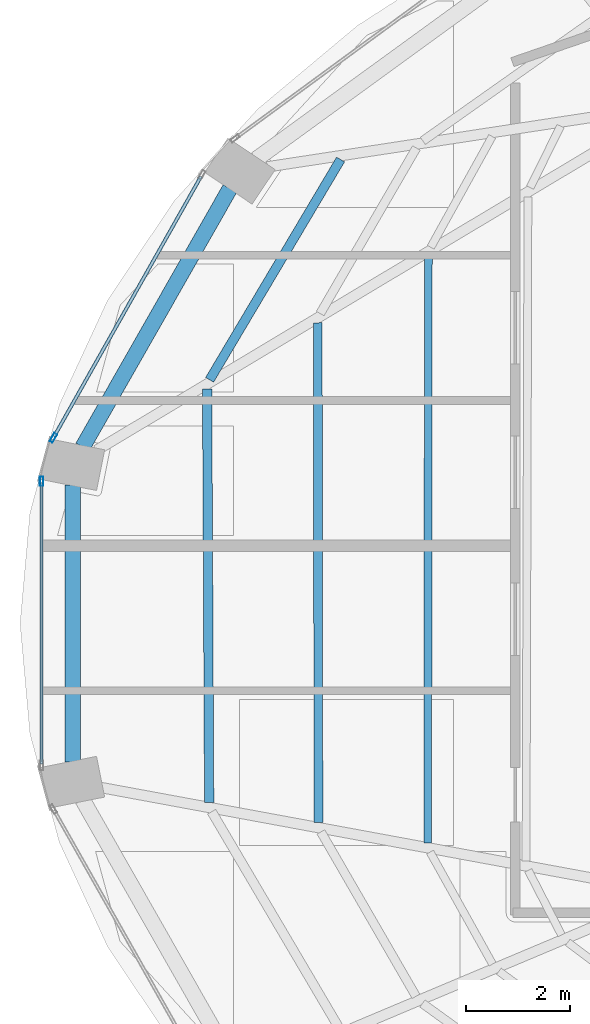
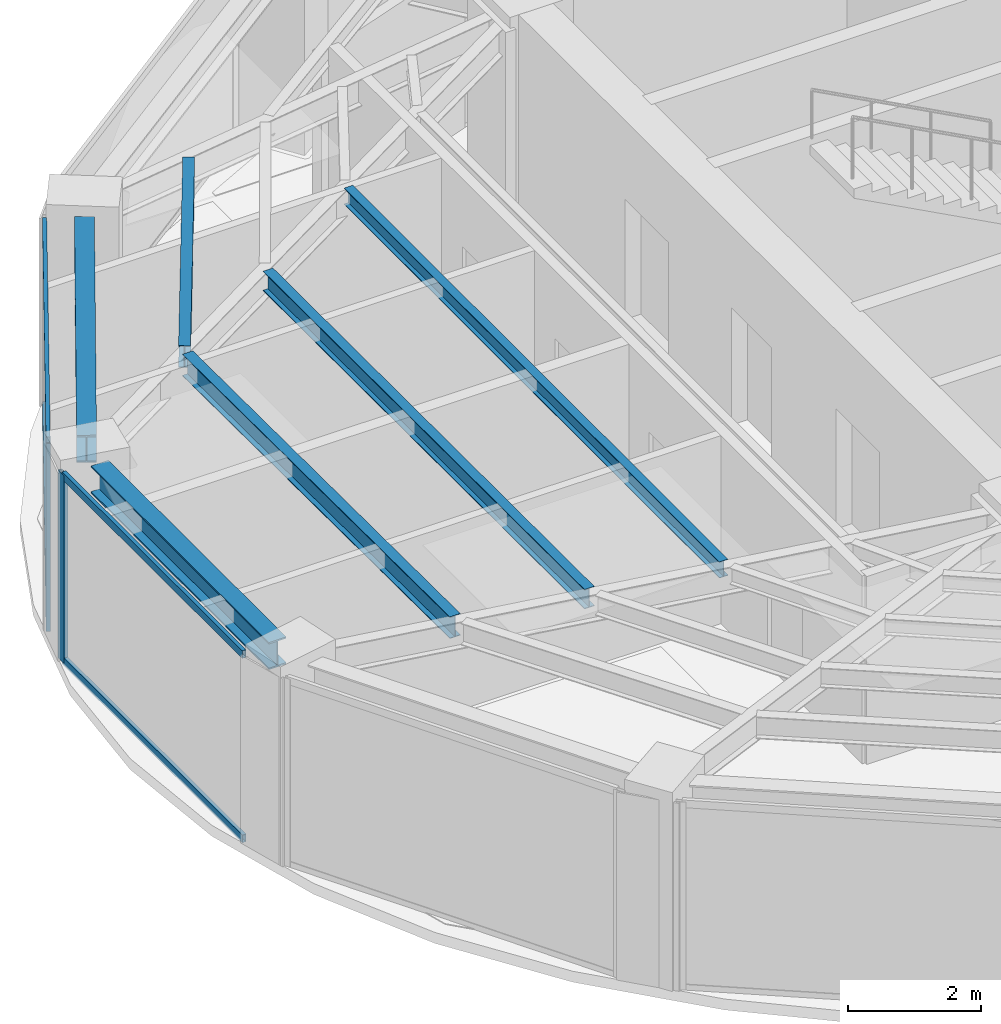
# One storey, part 8 of 23: 6 beams, 6 members, 2 elements without a shape of their own.
"""IFC4 building model written with IfcOpenShell, lengths in metres."""

import ifcopenshell
import ifcopenshell.guid

model = None  # the IFC model being written
_history = None  # IfcOwnerHistory: only IFC2X3 demands one
_inside = {}  # id of a spatial element -> (the spatial element, [elements in it])
_under = {}  # id of a project, library or spatial element -> (it, [spatial elements below it])
_declared = {}  # id of a project -> (the project, [libraries it declares])
_typed = {}  # id of a type object -> (the type object, [elements of that type])
_made_of = {}  # id of a material, layer set ... -> (it, [elements and type objects made of it])


def new_model(schema):
    """Start an empty IFC model of exactly this schema.

    Asked for "IFC4X3", IfcOpenShell would pick the latest addendum, in which some entities
    have other attributes; the version numbers below select the first issue.
    IFC2X3 requires an IfcOwnerHistory on every rooted entity: one is made here for all.
    """
    global model, _history
    if schema == "IFC4X3":
        model = ifcopenshell.file(schema_version=(4, 3, 0, 0))
    else:
        model = ifcopenshell.file(schema=schema)
    _inside.clear()
    _under.clear()
    _declared.clear()
    _typed.clear()
    _made_of.clear()
    _history = None
    if model.schema == "IFC2X3":
        org = make("IfcOrganization", Name="unknown")
        user = make(
            "IfcPersonAndOrganization",
            ThePerson=make("IfcPerson", FamilyName="unknown"),
            TheOrganization=org,
        )
        app = make(
            "IfcApplication",
            ApplicationDeveloper=org,
            Version="unknown",
            ApplicationFullName="unknown",
            ApplicationIdentifier="unknown",
        )
        _history = make(
            "IfcOwnerHistory",
            OwningUser=user,
            OwningApplication=app,
            ChangeAction="ADDED",
            CreationDate=0,
        )
    return model


def make(cls, **values):
    """One entity of the class cls with the attributes given. An attribute that is None is left unset."""
    return model.create_entity(
        cls, **{name: value for name, value in values.items() if value is not None}
    )


def rooted(cls, **values):
    """An entity with a GlobalId (a new one), such as an element, a storey or a relation."""
    return make(cls, GlobalId=ifcopenshell.guid.new(), OwnerHistory=_history, **values)


def si_unit(unit_type, name, prefix=None):
    """IfcSIUnit, for example si_unit("LENGTHUNIT", "METRE", prefix="MILLI")."""
    return make("IfcSIUnit", UnitType=unit_type, Prefix=prefix, Name=name)


def assignment(units):
    """IfcUnitAssignment: the units of a project."""
    return None if units is None else make("IfcUnitAssignment", Units=units)


def point(xyz):
    """IfcCartesianPoint."""
    return None if xyz is None else make("IfcCartesianPoint", Coordinates=xyz)


def direction(xyz):
    """IfcDirection."""
    return None if xyz is None else make("IfcDirection", DirectionRatios=xyz)


def frame(location, z_axis=None, x_axis=None):
    """IfcAxis2Placement3D, a coordinate frame: its origin and axes. An axis left out is left unset."""
    return make(
        "IfcAxis2Placement3D",
        Location=point(location),
        Axis=direction(z_axis),
        RefDirection=direction(x_axis),
    )


def frame_2d(location, x_axis=None):
    """IfcAxis2Placement2D, a coordinate frame in the plane: its origin and x axis."""
    return make(
        "IfcAxis2Placement2D", Location=point(location), RefDirection=direction(x_axis)
    )


def origin():
    """The frame at (0, 0, 0) with its axes left unset."""
    return frame((0.0, 0.0, 0.0))


def origin_2d():
    """The frame at (0, 0) in the plane with its x axis left unset."""
    return frame_2d((0.0, 0.0))


def place(relative_to, where):
    """IfcLocalPlacement: puts the frame where relative to a parent placement (None: the world)."""
    return make(
        "IfcLocalPlacement", PlacementRelTo=relative_to, RelativePlacement=where
    )


def context(
    kind, dimensions, precision=None, world=None, true_north=None, identifier=None
):
    """IfcGeometricRepresentationContext, for example the 3D "Model" context."""
    return make(
        "IfcGeometricRepresentationContext",
        ContextIdentifier=identifier,
        ContextType=kind,
        CoordinateSpaceDimension=dimensions,
        Precision=precision,
        WorldCoordinateSystem=world,
        TrueNorth=true_north,
    )


def subcontext(parent, identifier, kind, view, scale=None):
    """IfcGeometricRepresentationSubContext, for example "Body" below "Model"."""
    return make(
        "IfcGeometricRepresentationSubContext",
        ContextIdentifier=identifier,
        ContextType=kind,
        ParentContext=parent,
        TargetScale=scale,
        TargetView=view,
    )


def project(units=None, contexts=None):
    """IfcProject with its units and contexts."""
    return rooted(
        "IfcProject",
        Name="project",
        RepresentationContexts=contexts,
        UnitsInContext=assignment(units),
    )


def spatial(cls, under=None, at=None, **own):
    """A site, building, storey or space (cls), placed at a placement, below another one or the project."""
    s = rooted(cls, ObjectPlacement=at, **own)
    if under is not None:
        _under.setdefault(under.id(), (under, []))[1].append(s)
    return s


def profile(cls, at=None, kind="AREA", **sizes):
    """A parametric profile (cls). Its sizes go by their IFC names, for example OverallWidth=200.0."""
    return make(cls, ProfileType=kind, Position=at, **sizes)


def hollow_rectangle(**sizes):
    """IfcRectangleHollowProfileDef."""
    return profile("IfcRectangleHollowProfileDef", **sizes)


def i_section(**sizes):
    """IfcIShapeProfileDef."""
    return profile("IfcIShapeProfileDef", **sizes)


def extrude(swept, where, along, depth):
    """IfcExtrudedAreaSolid: the profile swept, set in the frame where, extruded along a direction by depth."""
    return make(
        "IfcExtrudedAreaSolid",
        SweptArea=swept,
        Position=where,
        ExtrudedDirection=direction(along),
        Depth=depth,
    )


def shape(context_of_items, identifier, shape_type, items):
    """IfcShapeRepresentation: the items that make up one representation, for example the "Body"."""
    return make(
        "IfcShapeRepresentation",
        ContextOfItems=context_of_items,
        RepresentationIdentifier=identifier,
        RepresentationType=shape_type,
        Items=items,
    )


def material(Name=None, Category=None):
    """IfcMaterial."""
    return make("IfcMaterial", Name=Name, Category=Category)


def layer(
    of_material, thickness, ventilated=None, Name=None, Category=None, Priority=None
):
    """IfcMaterialLayer: one layer of a wall or slab, of a material (None: an air gap)."""
    return make(
        "IfcMaterialLayer",
        Material=of_material,
        LayerThickness=thickness,
        IsVentilated=ventilated,
        Name=Name,
        Category=Category,
        Priority=Priority,
    )


def layer_set(layers, Name=None):
    """IfcMaterialLayerSet."""
    return make("IfcMaterialLayerSet", MaterialLayers=layers, LayerSetName=Name)


def material_profile(
    of_material, cross_section, Name=None, Category=None, Priority=None
):
    """IfcMaterialProfile: a cross section and its material."""
    return make(
        "IfcMaterialProfile",
        Name=Name,
        Material=of_material,
        Profile=cross_section,
        Priority=Priority,
        Category=Category,
    )


def profile_set(profiles, Name=None, composite=None):
    """IfcMaterialProfileSet."""
    return make(
        "IfcMaterialProfileSet",
        Name=Name,
        MaterialProfiles=profiles,
        CompositeProfile=composite,
    )


def made_of(thing, what):
    """Note that an element or type object is made of a material, layer set ...; save() writes the relation."""
    if what is not None:
        _made_of.setdefault(what.id(), (what, []))[1].append(thing)
    return thing


def type_object(cls, material=None, **own):
    """A type object (cls), such as IfcWallType, which elements share."""
    return made_of(rooted(cls, **own), material)


def element(
    cls,
    number,
    at=None,
    inside=None,
    cuts=None,
    type_object=None,
    material=None,
    context=None,
    identifier="Body",
    shape_type=None,
    held_by="IfcProductDefinitionShape",
    body=None,
    shapes=None,
    **own,
):
    """One element of the class cls, such as IfcWall. Its Tag is "e" and its number.

    at: its placement. inside: the storey or other place that contains it. cuts: it is an
    opening in that element (IfcRelVoidsElement). A single representation is given by context,
    identifier, shape_type and body (its items); several are given by shapes. held_by: the class
    of the entity that holds the representations. save() writes the other relations.
    """
    e = rooted(cls, Tag="e%d" % number, ObjectPlacement=at, **own)
    if body is not None:
        shapes = [shape(context, identifier, shape_type, body)]
    if shapes is not None:
        e.Representation = make(held_by, Representations=shapes)
    if inside is not None:
        _inside.setdefault(inside.id(), (inside, []))[1].append(e)
    if cuts is not None:
        rooted(
            "IfcRelVoidsElement", RelatingBuildingElement=cuts, RelatedOpeningElement=e
        )
    if type_object is not None:
        _typed.setdefault(type_object.id(), (type_object, []))[1].append(e)
    return made_of(e, material)


def aggregate(whole, parts):
    """IfcRelAggregates: a whole, such as a stair, and the parts it consists of."""
    return rooted("IfcRelAggregates", RelatingObject=whole, RelatedObjects=parts)


def save(model, path):
    """Write the relations noted so far, then the file.

    IfcRelAggregates (storeys below a building ...), IfcRelContainedInSpatialStructure (elements
    in a storey), IfcRelDefinesByType, IfcRelAssociatesMaterial and IfcRelDeclares: one each for
    every whole, place, type object, material and project.
    """
    for whole, parts in _under.values():
        aggregate(whole, parts)
    for where, things in _inside.values():
        rooted(
            "IfcRelContainedInSpatialStructure",
            RelatedElements=things,
            RelatingStructure=where,
        )
    for kind, things in _typed.values():
        rooted("IfcRelDefinesByType", RelatedObjects=things, RelatingType=kind)
    for what, things in _made_of.values():
        rooted("IfcRelAssociatesMaterial", RelatedObjects=things, RelatingMaterial=what)
    for by, libraries in _declared.values():
        rooted("IfcRelDeclares", RelatingContext=by, RelatedDefinitions=libraries)
    model.write(path)


model = new_model("IFC4")

# Units and contexts
model_context = context("Model", 3, precision=1e-05, world=origin(), true_north=direction((0.0, 1.0)))
body_context = subcontext(model_context, "Body", "Model", "MODEL_VIEW")
ifc_project = project(units=[si_unit("LENGTHUNIT", "METRE"), si_unit("AREAUNIT", "SQUARE_METRE"), si_unit("VOLUMEUNIT", "CUBIC_METRE"), si_unit("PLANEANGLEUNIT", "RADIAN"), si_unit("MASSUNIT", "GRAM", prefix="KILO")], contexts=[model_context])

# Site, building, storey
site_placement = place(None, origin())
site = spatial("IfcSite", under=ifc_project, at=site_placement, CompositionType="ELEMENT")
building_placement = place(site_placement, origin())
building = spatial("IfcBuilding", under=site, at=building_placement, Name="Lazwardi Medical Tower", CompositionType="ELEMENT")
storey_placement = place(building_placement, frame((0.0, 0.0, 202.1279296875)))
storey = spatial("IfcBuildingStorey", under=building, at=storey_placement, Name="L52", CompositionType="ELEMENT", Elevation=202.1279296875)

# Beams
ifc_material_1 = material(Name="Steel S355", Category="steel")
ifc_material_profile_1 = material_profile(ifc_material_1, i_section(OverallWidth=0.300048828125, OverallDepth=0.5, WebThickness=0.014404296875, FlangeThickness=0.028076171875, at=origin_2d()), Name="HEB 500")
ifc_profile_set_1 = profile_set([ifc_material_profile_1], Name="Steel S355")
beam_type_1 = type_object("IfcBeamType", Name="BM-RB-Z4", PredefinedType="BEAM", material=ifc_profile_set_1)
beam_1_placement = place(storey_placement, frame((17.84716796875, 33.983642578125, 3.197998046875), z_axis=(-0.495125273299, -0.868821594886, 0.0), x_axis=(0.868821594886, -0.495125273299, 0.0)))
element("IfcBeam", 1, at=beam_1_placement, inside=storey, type_object=beam_type_1, Name="Ring beam RB-05 B11 L52", PredefinedType="BEAM", context=body_context, shape_type="SweptSolid", body=[
    extrude(i_section(OverallWidth=0.300048828125, OverallDepth=0.5, WebThickness=0.014404296875, FlangeThickness=0.028076171875, at=origin_2d()), origin(), (0.0, 0.0, 1.0), 5.734130859375),
])
beam_2_placement = place(storey_placement, frame((14.81494140625, 28.27294921875, 3.197998046875), z_axis=(0.0, -1.0, 0.0), x_axis=(1.0, 0.0, 0.0)))
element("IfcBeam", 2, at=beam_2_placement, inside=storey, type_object=beam_type_1, Name="Ring beam RB-05 B12 L52", PredefinedType="BEAM", context=body_context, shape_type="SweptSolid", body=[
    extrude(i_section(OverallWidth=0.300048828125, OverallDepth=0.5, WebThickness=0.014404296875, FlangeThickness=0.028076171875, at=origin_2d()), origin(), (0.0, 0.0, 1.0), 5.345947265625),
])
ifc_material_profile_2 = material_profile(ifc_material_1, i_section(OverallWidth=0.179931640625, OverallDepth=0.39990234375, WebThickness=0.008544921875, FlangeThickness=0.013427734375, at=origin_2d()), Name="IPE 400")
ifc_profile_set_2 = profile_set([ifc_material_profile_2], Name="Steel S355")
beam_type_2 = type_object("IfcBeamType", Name="BM-SJ-01", PredefinedType="JOIST", material=ifc_profile_set_2)
beam_3_placement = place(storey_placement, frame((19.98095703125, 34.544921875, 3.248046875), z_axis=(-0.510967866251, -0.859599813668, 0.0), x_axis=(0.859599813668, -0.510967866251, 0.0)))
element("IfcBeam", 3, at=beam_3_placement, inside=storey, type_object=beam_type_2, Name="Secondary joist SJ-01 R1 B11 L52", PredefinedType="JOIST", context=body_context, shape_type="SweptSolid", body=[
    extrude(i_section(OverallWidth=0.179931640625, OverallDepth=0.39990234375, WebThickness=0.008544921875, FlangeThickness=0.013427734375, at=origin_2d()), origin(), (0.0, 0.0, 1.0), 4.94189453125),
])
beam_4_placement = place(storey_placement, frame((17.407958984375, 30.120361328125, 3.248046875), z_axis=(0.004929366644, -0.999987850598, 0.0), x_axis=(0.999987850598, 0.004929366644, 0.0)))
element("IfcBeam", 4, at=beam_4_placement, inside=storey, type_object=beam_type_2, Name="Secondary joist SJ-01 R1 B12 L52", PredefinedType="JOIST", context=body_context, shape_type="SweptSolid", body=[
    extrude(i_section(OverallWidth=0.179931640625, OverallDepth=0.39990234375, WebThickness=0.008544921875, FlangeThickness=0.013427734375, at=origin_2d()), origin(), (0.0, 0.0, 1.0), 7.973876953125),
])
ifc_material_profile_3 = material_profile(ifc_material_1, i_section(OverallWidth=0.169921875, OverallDepth=0.360107421875, WebThickness=0.008056640625, FlangeThickness=0.0126953125, at=origin_2d()), Name="IPE 360")
ifc_profile_set_3 = profile_set([ifc_material_profile_3], Name="Steel S355")
beam_type_3 = type_object("IfcBeamType", Name="BM-SJ-02", PredefinedType="JOIST", material=ifc_profile_set_3)
beam_5_placement = place(storey_placement, frame((19.541015625, 31.397705078125, 3.26806640625), z_axis=(0.001367606673, -0.999999064826, 0.0), x_axis=(0.999999064826, 0.001367606673, 0.0)))
element("IfcBeam", 5, at=beam_5_placement, inside=storey, type_object=beam_type_3, Name="Secondary joist SJ-02 R2 B12 L52", PredefinedType="JOIST", context=body_context, shape_type="SweptSolid", body=[
    extrude(i_section(OverallWidth=0.169921875, OverallDepth=0.360107421875, WebThickness=0.008056640625, FlangeThickness=0.0126953125, at=origin_2d()), origin(), (0.0, 0.0, 1.0), 9.639892578125),
])
ifc_material_profile_4 = material_profile(ifc_material_1, i_section(OverallWidth=0.14990234375, OverallDepth=0.300048828125, WebThickness=0.007080078125, FlangeThickness=0.0107421875, at=origin_2d()), Name="IPE 300")
ifc_profile_set_4 = profile_set([ifc_material_profile_4], Name="Steel S355")
beam_type_4 = type_object("IfcBeamType", Name="BM-SJ-03", PredefinedType="JOIST", material=ifc_profile_set_4)
beam_6_placement = place(storey_placement, frame((21.674072265625, 32.67529296875, 3.298095703125), z_axis=(-0.001166079235, -0.999999320129, 0.0), x_axis=(0.999999320129, -0.001166079235, 0.0)))
element("IfcBeam", 6, at=beam_6_placement, inside=storey, type_object=beam_type_4, Name="Secondary joist SJ-03 R3 B12 L52", PredefinedType="JOIST", context=body_context, shape_type="SweptSolid", body=[
    extrude(i_section(OverallWidth=0.14990234375, OverallDepth=0.300048828125, WebThickness=0.007080078125, FlangeThickness=0.0107421875, at=origin_2d()), origin(), (0.0, 0.0, 1.0), 11.305908203125),
])

# Curtain wall, member
ifc_material_2 = material(Name="Anodised bronze aluminium and solar control glazing", Category="aluminium")
ifc_layer = layer(ifc_material_2, 0.18994140625)
ifc_layer_set = layer_set([ifc_layer], Name="Anodised bronze aluminium and solar control glazing")
curtain_wall_type = type_object("IfcCurtainWallType", Name="CW-SYS-04", PredefinedType="NOTDEFINED", material=ifc_layer_set)
curtain_wall_1_placement = place(storey_placement, origin())
curtain_wall_1 = element("IfcCurtainWall", 7, at=curtain_wall_1_placement, inside=storey, type_object=curtain_wall_type, Name="L52 Unitised bronze curtain wall CW-04", PredefinedType="NOTDEFINED")
ifc_material_3 = material(Name="Anodised bronze aluminium", Category="aluminium")
ifc_material_profile_5 = material_profile(ifc_material_3, hollow_rectangle(XDim=0.06494140625, YDim=0.179931640625, WallThickness=0.00390625, at=origin_2d()), Name="ALU-MULLION 180x65x4")
ifc_profile_set_5 = profile_set([ifc_material_profile_5], Name="Anodised bronze aluminium")
member_type_1 = type_object("IfcMemberType", Name="CW-MUL-03", PredefinedType="MULLION", material=ifc_profile_set_5)
member_1_placement = place(storey_placement, frame((14.442626953125, 29.17822265625, 0.0), z_axis=(0.0, 0.0, 1.0), x_axis=(0.870651436011, -0.491900474661, 0.0)))
member_1 = element("IfcMember", 8, at=member_1_placement, type_object=member_type_1, Name="CW-04 mullion 2", PredefinedType="MULLION", context=body_context, shape_type="SweptSolid", body=[
    extrude(hollow_rectangle(XDim=0.06494140625, YDim=0.179931640625, WallThickness=0.00390625, at=origin_2d()), origin(), (0.0, 0.0, 1.0), 3.447998046875),
])

curtain_wall_2_placement = place(storey_placement, origin())
curtain_wall_2 = element("IfcCurtainWall", 9, at=curtain_wall_2_placement, inside=storey, type_object=curtain_wall_type, Name="L52 Unitised bronze curtain wall CW-04", PredefinedType="NOTDEFINED")
member_2_placement = place(storey_placement, frame((14.2158203125, 28.340576171875, 0.0), z_axis=(0.0, 0.0, 1.0), x_axis=(1.0, 0.0, 0.0)))
member_2 = element("IfcMember", 10, at=member_2_placement, type_object=member_type_1, Name="CW-04 mullion 1", PredefinedType="MULLION", context=body_context, shape_type="SweptSolid", body=[
    extrude(hollow_rectangle(XDim=0.06494140625, YDim=0.179931640625, WallThickness=0.00390625, at=origin_2d()), origin(), (0.0, 0.0, 1.0), 3.447998046875),
])

# Member
ifc_material_profile_6 = material_profile(ifc_material_3, hollow_rectangle(XDim=0.06494140625, YDim=0.139892578125, WallThickness=0.00341796875, at=origin_2d()), Name="ALU-TRANSOM 140x65x3.5")
ifc_profile_set_6 = profile_set([ifc_material_profile_6], Name="Anodised bronze aluminium")
member_type_2 = type_object("IfcMemberType", Name="CW-TRN-03", PredefinedType="USERDEFINED", material=ifc_profile_set_6)
member_3_placement = place(storey_placement, frame((17.28955078125, 34.21728515625, 0.032470703125), z_axis=(-0.491879719484, -0.87066316194, 0.0), x_axis=(0.87066316194, -0.491879719484, 0.0)))
member_3 = element("IfcMember", 11, at=member_3_placement, type_object=member_type_2, Name="CW-04 transom 1.1", ObjectType="TRANSOM", PredefinedType="USERDEFINED", context=body_context, shape_type="SweptSolid", body=[
    extrude(hollow_rectangle(XDim=0.06494140625, YDim=0.139892578125, WallThickness=0.00341796875, at=origin_2d()), origin(), (0.0, 0.0, 1.0), 5.755126953125),
])

member_4_placement = place(storey_placement, frame((17.28955078125, 34.21728515625, 3.41552734375), z_axis=(-0.491879719484, -0.87066316194, 0.0), x_axis=(0.87066316194, -0.491879719484, 0.0)))
member_4 = element("IfcMember", 12, at=member_4_placement, type_object=member_type_2, Name="CW-04 transom 1.2", ObjectType="TRANSOM", PredefinedType="USERDEFINED", context=body_context, shape_type="SweptSolid", body=[
    extrude(hollow_rectangle(XDim=0.06494140625, YDim=0.139892578125, WallThickness=0.00341796875, at=origin_2d()), origin(), (0.0, 0.0, 1.0), 5.755126953125),
])

aggregate(curtain_wall_1, [member_1, member_3, member_4])

member_5_placement = place(storey_placement, frame((14.2158203125, 28.30810546875, 0.032470703125), z_axis=(0.0, -1.0, 0.0), x_axis=(1.0, 0.0, 0.0)))
member_5 = element("IfcMember", 13, at=member_5_placement, type_object=member_type_2, Name="CW-04 transom 1.1", ObjectType="TRANSOM", PredefinedType="USERDEFINED", context=body_context, shape_type="SweptSolid", body=[
    extrude(hollow_rectangle(XDim=0.06494140625, YDim=0.139892578125, WallThickness=0.00341796875, at=origin_2d()), origin(), (0.0, 0.0, 1.0), 5.416015625),
])

member_6_placement = place(storey_placement, frame((14.2158203125, 28.30810546875, 3.41552734375), z_axis=(0.0, -1.0, 0.0), x_axis=(1.0, 0.0, 0.0)))
member_6 = element("IfcMember", 14, at=member_6_placement, type_object=member_type_2, Name="CW-04 transom 1.2", ObjectType="TRANSOM", PredefinedType="USERDEFINED", context=body_context, shape_type="SweptSolid", body=[
    extrude(hollow_rectangle(XDim=0.06494140625, YDim=0.139892578125, WallThickness=0.00341796875, at=origin_2d()), origin(), (0.0, 0.0, 1.0), 5.416015625),
])

aggregate(curtain_wall_2, [member_2, member_5, member_6])

save(model, "model.ifc")
